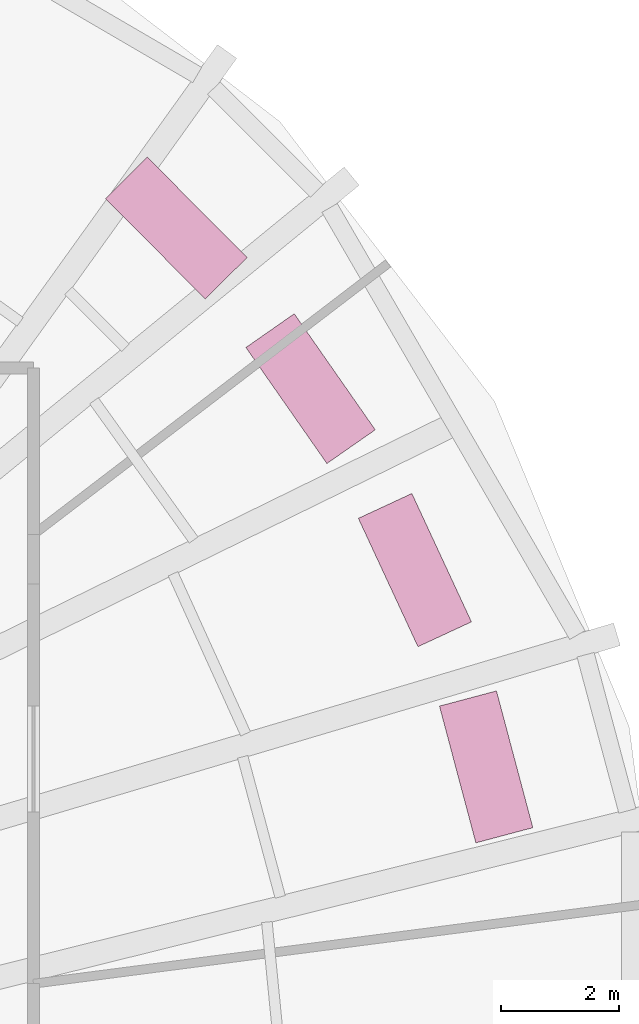
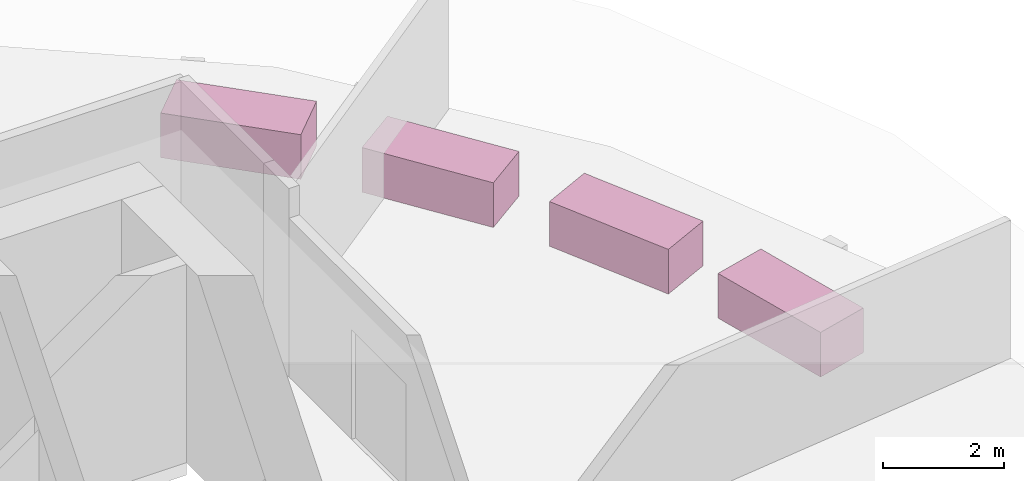
# One storey, part 7 of 7: 4 furniture elements.
"""IFC4 building model written with IfcOpenShell, lengths in metres."""

from ifc_helpers import new_model, si_unit, direction, frame, origin, origin_2d, place, context, subcontext, project, spatial, rectangle, extrude, element, save


model = new_model("IFC4")

# Units and contexts
model_context = context("Model", 3, precision=1e-05, world=origin(), true_north=direction((0.0, 1.0)))
body_context = subcontext(model_context, "Body", "Model", "MODEL_VIEW")
ifc_project = project(units=[si_unit("LENGTHUNIT", "METRE"), si_unit("AREAUNIT", "SQUARE_METRE"), si_unit("VOLUMEUNIT", "CUBIC_METRE"), si_unit("PLANEANGLEUNIT", "RADIAN"), si_unit("MASSUNIT", "GRAM", prefix="KILO")], contexts=[model_context])

# Site, building, storey
site_placement = place(None, origin())
site = spatial("IfcSite", under=ifc_project, at=site_placement, CompositionType="ELEMENT")
building_placement = place(site_placement, origin())
building = spatial("IfcBuilding", under=site, at=building_placement, Name="Golbaran Civic Tower", CompositionType="ELEMENT")
storey_placement = place(building_placement, frame((0.0, 0.0, 41.0)))
storey = spatial("IfcBuildingStorey", under=building, at=storey_placement, Name="L09", CompositionType="ELEMENT", Elevation=41.0)

# Furniture
for number, where, z_axis, x_axis, name in (
    (1, (19.67626953125, 5.23583984375, 0.0), (0.0, 0.0, 1.0), (-0.257153926748, 0.966370455859, 0.0), "Sky garden planter L09-1"),
    (2, (18.468017578125, 8.572998046875, 0.0), (0.0, 0.0, 1.0), (-0.42105564939, 0.907034806453, 0.0), "Sky garden planter L09-2"),
    (3, (16.698974609375, 11.64990234375, 0.0), (0.0, 0.0, 1.0), (-0.57216380919, 0.820139363434, 0.0), "Sky garden planter L09-3"),
    (4, (14.422119140625, 14.37255859375, 0.0), (0.0, 0.0, 1.0), (-0.705887061176, 0.708324400867, 0.0), "Sky garden planter L09-4"),
):
    element("IfcFurniture", number, at=place(storey_placement, frame(where, z_axis=z_axis, x_axis=x_axis)), inside=storey, Name=name, ObjectType="PLANTER", PredefinedType="USERDEFINED", context=body_context, shape_type="SweptSolid", body=[
        extrude(rectangle(XDim=2.39990234375, YDim=1.0, at=origin_2d()), origin(), (0.0, 0.0, 1.0), 0.89990234375),
    ])

save(model, "model.ifc")
